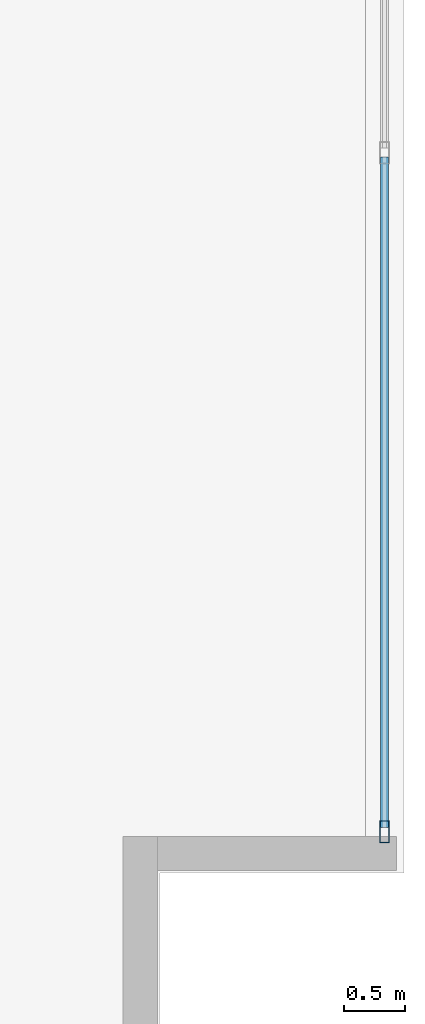
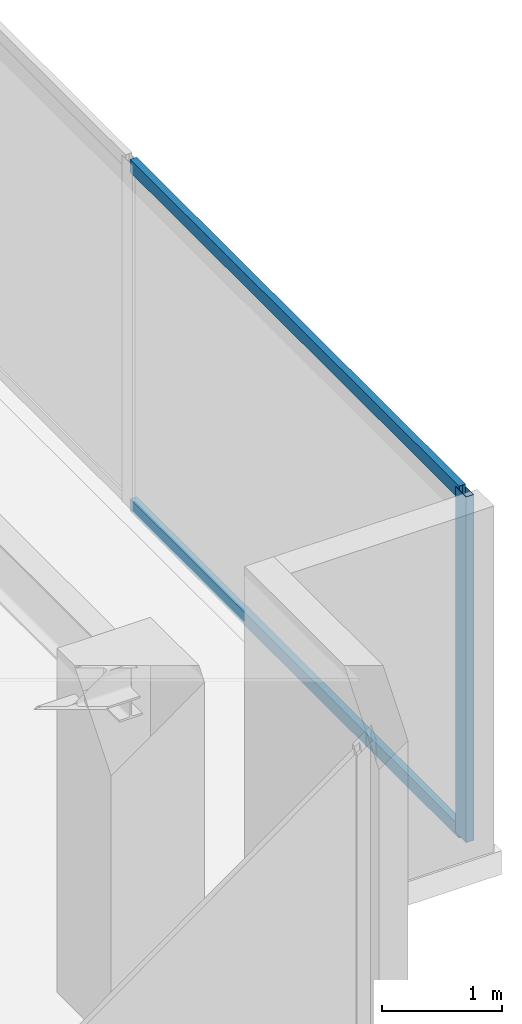
# One storey, part 16 of 32: 3 members, 1 element without a shape of its own.
"""IFC4 building model written with IfcOpenShell, lengths in metres."""

from ifc_helpers import new_model, si_unit, direction, frame, origin, origin_with_axes, origin_2d, place, context, subcontext, project, spatial, hollow_rectangle, extrude, source, transform, mapped, material, layer, layer_set, material_profile, profile_set, type_object, element, aggregate, save


model = new_model("IFC4")

# Units and contexts
model_context = context("Model", 3, precision=1e-05, world=origin(), true_north=direction((0.0, 1.0)))
body_context = subcontext(model_context, "Body", "Model", "MODEL_VIEW")
ifc_project = project(units=[si_unit("LENGTHUNIT", "METRE"), si_unit("AREAUNIT", "SQUARE_METRE"), si_unit("VOLUMEUNIT", "CUBIC_METRE"), si_unit("PLANEANGLEUNIT", "RADIAN"), si_unit("MASSUNIT", "GRAM", prefix="KILO")], contexts=[model_context])

# Site, building, storey
site_placement = place(None, origin())
site = spatial("IfcSite", under=ifc_project, at=site_placement, CompositionType="ELEMENT")
building_placement = place(site_placement, origin())
building = spatial("IfcBuilding", under=site, at=building_placement, Name="Kolvaren Waterfront Exchange", CompositionType="ELEMENT")
storey_placement = place(building_placement, frame((0.0, 0.0, 348.10009765625)))
storey = spatial("IfcBuildingStorey", under=building, at=storey_placement, Name="L89", CompositionType="ELEMENT", Elevation=348.10009765625)

# Curtain wall, members
ifc_material = material(Name="Anodised bronze aluminium 6063-T6", Category="aluminium")
ifc_layer = layer(ifc_material, 0.219970703125, Name="Anodised bronze aluminium 6063-T6")
ifc_layer_set = layer_set([ifc_layer], Name="Anodised bronze aluminium 6063-T6")
curtain_wall_type = type_object("IfcCurtainWallType", Name="ARC-CW-SYS5", PredefinedType="USERDEFINED", material=ifc_layer_set)
curtain_wall_placement = place(storey_placement, origin())
curtain_wall = element("IfcCurtainWall", 1, at=curtain_wall_placement, inside=storey, type_object=curtain_wall_type, Name="L89 stick curtain wall CW5 (CW-L89-ET)", ObjectType="STICK CURTAIN WALL", PredefinedType="USERDEFINED")
ifc_material_profile_1 = material_profile(ifc_material, hollow_rectangle(XDim=0.06494140625, YDim=0.1298828125, WallThickness=0.00390625, at=origin_2d()), Name="ALU-TRN-130x65x4")
ifc_profile_set_1 = profile_set([ifc_material_profile_1], Name="Anodised bronze aluminium 6063-T6")
member_type_1 = type_object("IfcMemberType", Name="ARC-CWT-130", PredefinedType="USERDEFINED", material=ifc_profile_set_1)
shared_shape_1 = source(origin_with_axes(), body_context, "Body", "SweptSolid", [
    extrude(hollow_rectangle(XDim=0.06494140625, YDim=0.1298828125, WallThickness=0.00390625, at=origin_2d()), origin(), (0.0, 0.0, 1.0), 5.4873046875),
])
member_1_placement = place(storey_placement, frame((49.239990234375, 5.97509765625, 0.032470703125), z_axis=(0.0, 1.0, 0.0), x_axis=(-1.0, 0.0, 0.0)))
member_1 = element("IfcMember", 2, at=member_1_placement, type_object=member_type_1, Name="CW5 transom 1.1", ObjectType="TRANSOM", PredefinedType="USERDEFINED", context=body_context, shape_type="MappedRepresentation", body=[
    mapped(shared_shape_1, transform((0.0, 0.0, 0.0), x_axis=(1.0, 0.0, 0.0), y_axis=(0.0, 1.0, 0.0), z_axis=(0.0, 0.0, 1.0), scale=1.0)),
])
member_2_placement = place(storey_placement, frame((49.239990234375, 5.97509765625, 3.4873046875), z_axis=(0.0, 1.0, 0.0), x_axis=(-1.0, 0.0, 0.0)))
member_2 = element("IfcMember", 3, at=member_2_placement, type_object=member_type_1, Name="CW5 transom 1.2", ObjectType="TRANSOM", PredefinedType="USERDEFINED", context=body_context, shape_type="MappedRepresentation", body=[
    mapped(shared_shape_1, transform((0.0, 0.0, 0.0), x_axis=(1.0, 0.0, 0.0), y_axis=(0.0, 1.0, 0.0), z_axis=(0.0, 0.0, 1.0), scale=1.0)),
])
ifc_material_profile_2 = material_profile(ifc_material, hollow_rectangle(XDim=0.074951171875, YDim=0.179931640625, WallThickness=0.00439453125, at=origin_2d()), Name="ALU-MUL-180x75x4.5")
ifc_profile_set_2 = profile_set([ifc_material_profile_2], Name="Anodised bronze aluminium 6063-T6")
member_type_2 = type_object("IfcMemberType", Name="ARC-CWM-180", PredefinedType="MULLION", material=ifc_profile_set_2)
shared_shape_2 = source(origin_with_axes(), body_context, "Body", "SweptSolid", [
    extrude(hollow_rectangle(XDim=0.074951171875, YDim=0.179931640625, WallThickness=0.00439453125, at=origin_2d()), origin(), (0.0, 0.0, 1.0), 3.52001953125),
])
member_3_placement = place(storey_placement, frame((49.239990234375, 5.9375, 0.0), z_axis=(0.0, 0.0, 1.0), x_axis=(-1.0, 0.0, 0.0)))
member_3 = element("IfcMember", 4, at=member_3_placement, type_object=member_type_2, Name="CW5 mullion 1", PredefinedType="MULLION", context=body_context, shape_type="MappedRepresentation", body=[
    mapped(shared_shape_2, transform((0.0, 0.0, 0.0), x_axis=(1.0, 0.0, 0.0), y_axis=(0.0, 1.0, 0.0), z_axis=(0.0, 0.0, 1.0), scale=1.0)),
])
aggregate(curtain_wall, [member_3, member_1, member_2])

save(model, "model.ifc")
